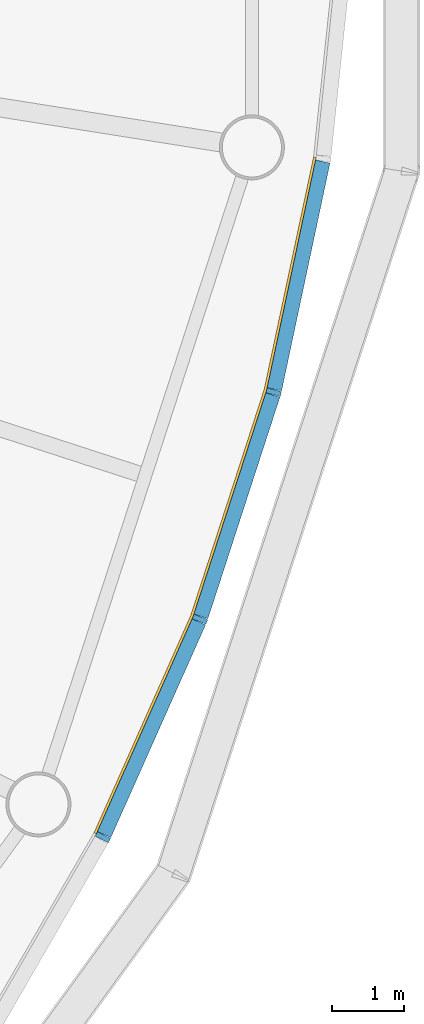
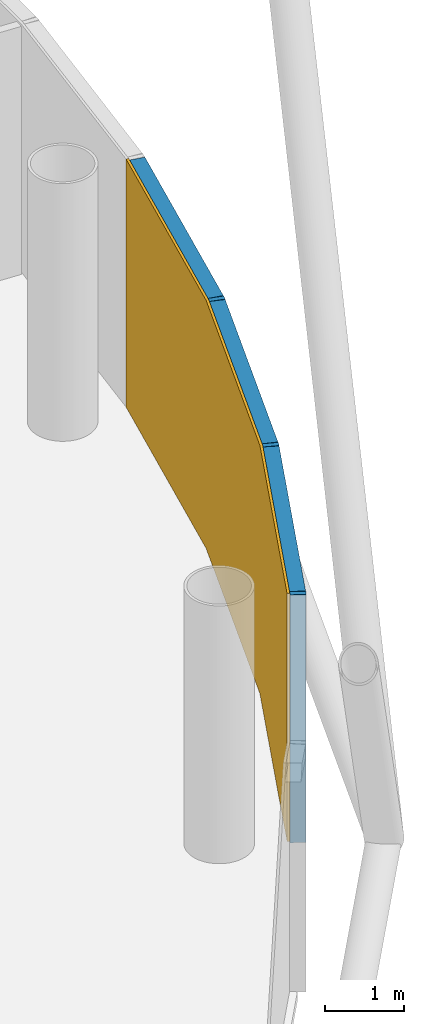
# One storey, part 9 of 13: 6 members, 1 curtain wall.
"""IFC4 building model written with IfcOpenShell, lengths in metres."""

from ifc_helpers import new_model, si_unit, direction, frame, origin, origin_2d, place, context, subcontext, project, spatial, polyline, rectangle, outline, extrude, material, layer, layer_set, material_profile, profile_set, type_object, element, aggregate, save


model = new_model("IFC4")

# Units and contexts
model_context = context("Model", 3, precision=1e-05, world=origin(), true_north=direction((0.0, 1.0)))
body_context = subcontext(model_context, "Body", "Model", "MODEL_VIEW")
ifc_project = project(units=[si_unit("LENGTHUNIT", "METRE"), si_unit("AREAUNIT", "SQUARE_METRE"), si_unit("VOLUMEUNIT", "CUBIC_METRE"), si_unit("PLANEANGLEUNIT", "RADIAN"), si_unit("MASSUNIT", "GRAM", prefix="KILO")], contexts=[model_context])

# Member
ifc_material_1 = material(Name="Anodised aluminium", Category="aluminium")
ifc_material_profile_1 = material_profile(ifc_material_1, rectangle(XDim=0.070068359375, YDim=0.205078125, at=origin_2d()), Name="Mullion 70 x 205 mm anodised aluminium")
ifc_profile_set_1 = profile_set([ifc_material_profile_1], Name="Anodised aluminium")
member_type_1 = type_object("IfcMemberType", Name="Mullion 70 x 205 mm anodised aluminium", PredefinedType="MULLION", material=ifc_profile_set_1)
site_placement = place(None, origin())
building_placement = place(site_placement, origin())
storey_placement = place(building_placement, frame((0.0, 0.0, 356.0)))
member_1_placement = place(storey_placement, frame((118.157958984375, 65.65283203125, 0.0), z_axis=(0.0, 0.0, 1.0), x_axis=(0.45399049974, 0.891006524188, 0.0)))
member_1 = element("IfcMember", 1, at=member_1_placement, type_object=member_type_1, Name="MULLION L82-54", PredefinedType="MULLION", context=body_context, shape_type="SweptSolid", body=[
    extrude(rectangle(XDim=0.070068359375, YDim=0.205078125, at=origin_2d()), origin(), (0.0, 0.0, 1.0), 3.85009765625),
])

member_2_placement = place(storey_placement, frame((119.50341796875, 68.674560546875, 0.0), z_axis=(0.0, 0.0, 1.0), x_axis=(0.358367949545, 0.933580426497, 0.0)))
member_2 = element("IfcMember", 2, at=member_2_placement, type_object=member_type_1, Name="MULLION L82-55", PredefinedType="MULLION", context=body_context, shape_type="SweptSolid", body=[
    extrude(rectangle(XDim=0.070068359375, YDim=0.205078125, at=origin_2d()), origin(), (0.0, 0.0, 1.0), 3.85009765625),
])

member_3_placement = place(storey_placement, frame((120.525634765625, 71.820556640625, 0.0), z_axis=(0.0, 0.0, 1.0), x_axis=(0.258819045103, 0.965925826289, 0.0)))
member_3 = element("IfcMember", 3, at=member_3_placement, type_object=member_type_1, Name="MULLION L82-56", PredefinedType="MULLION", context=body_context, shape_type="SweptSolid", body=[
    extrude(rectangle(XDim=0.070068359375, YDim=0.205078125, at=origin_2d()), origin(), (0.0, 0.0, 1.0), 3.85009765625),
])

ifc_material_2 = material(Name="Anodised aluminium", Category="aluminium")
ifc_material_profile_2 = material_profile(ifc_material_2, rectangle(XDim=0.205078125, YDim=0.195068359375, at=origin_2d()), Name="Transom 195 x 205 mm anodised aluminium")
ifc_profile_set_2 = profile_set([ifc_material_profile_2], Name="Anodised aluminium")
member_type_2 = type_object("IfcMemberType", Name="Transom 195 x 205 mm anodised aluminium", PredefinedType="USERDEFINED", material=ifc_profile_set_2)
member_4_placement = place(storey_placement, frame((118.174560546875, 65.689697265625, 3.75244140625), z_axis=(0.406791170024, 0.913521178731, 0.0), x_axis=(-0.913521178731, 0.406791170024, 0.0)))
member_4 = element("IfcMember", 4, at=member_4_placement, type_object=member_type_2, Name="TRANSOM L82-54", ObjectType="TRANSOM", PredefinedType="USERDEFINED", context=body_context, shape_type="SweptSolid", body=[
    extrude(rectangle(XDim=0.205078125, YDim=0.195068359375, at=origin_2d()), origin(), (0.0, 0.0, 1.0), 3.22705078125),
])

member_5_placement = place(storey_placement, frame((119.51611328125, 68.713134765625, 3.75244140625), z_axis=(0.309046726844, 0.951046855117, 0.0), x_axis=(-0.951046855117, 0.309046726844, 0.0)))
member_5 = element("IfcMember", 5, at=member_5_placement, type_object=member_type_2, Name="TRANSOM L82-55", ObjectType="TRANSOM", PredefinedType="USERDEFINED", context=body_context, shape_type="SweptSolid", body=[
    extrude(rectangle(XDim=0.205078125, YDim=0.195068359375, at=origin_2d()), origin(), (0.0, 0.0, 1.0), 3.22705078125),
])

member_6_placement = place(storey_placement, frame((120.5341796875, 71.860107421875, 3.75244140625), z_axis=(0.207885898771, 0.978153082647, 0.0), x_axis=(-0.978153082647, 0.207885898771, 0.0)))
member_6 = element("IfcMember", 6, at=member_6_placement, type_object=member_type_2, Name="TRANSOM L82-56", ObjectType="TRANSOM", PredefinedType="USERDEFINED", context=body_context, shape_type="SweptSolid", body=[
    extrude(rectangle(XDim=0.205078125, YDim=0.195068359375, at=origin_2d()), origin(), (0.0, 0.0, 1.0), 3.227294921875),
])

# Site, building, storey
site = spatial("IfcSite", under=ifc_project, at=site_placement, CompositionType="ELEMENT")
building = spatial("IfcBuilding", under=site, at=building_placement, Name="Entoto Ring Tower", CompositionType="ELEMENT")
storey = spatial("IfcBuildingStorey", under=building, at=storey_placement, Name="L82", CompositionType="ELEMENT", Elevation=356.0)

# Curtain wall
ifc_material_3 = material(Name="Clear low-iron glass", Category="glass")
ifc_layer = layer(ifc_material_3, 0.035888671875)
ifc_layer_set = layer_set([ifc_layer], Name="Clear low-iron glass")
curtain_wall_type = type_object("IfcCurtainWallType", Name="Curtain wall system CW6 glazing 36 mm", PredefinedType="NOTDEFINED", material=ifc_layer_set)
curtain_wall_placement = place(storey_placement, origin())
curtain_wall = element("IfcCurtainWall", 7, at=curtain_wall_placement, inside=storey, type_object=curtain_wall_type, Name="CW6 L82-19", PredefinedType="NOTDEFINED", context=body_context, shape_type="SweptSolid", body=[
    extrude(outline(polyline([(118.066650390625, 65.69921875), (119.40771484375, 68.71142578125), (120.4267578125, 71.84716796875), (121.1123046875, 75.072265625), (121.07666015625, 75.077880859375), (120.391845703125, 71.8564453125), (119.3740234375, 68.724365234375), (118.03466796875, 65.715576171875), (118.066650390625, 65.69921875)])), origin(), (0.0, 0.0, 1.0), 3.85009765625),
])

aggregate(curtain_wall, [member_1, member_2, member_3, member_4, member_5, member_6])

save(model, "model.ifc")
